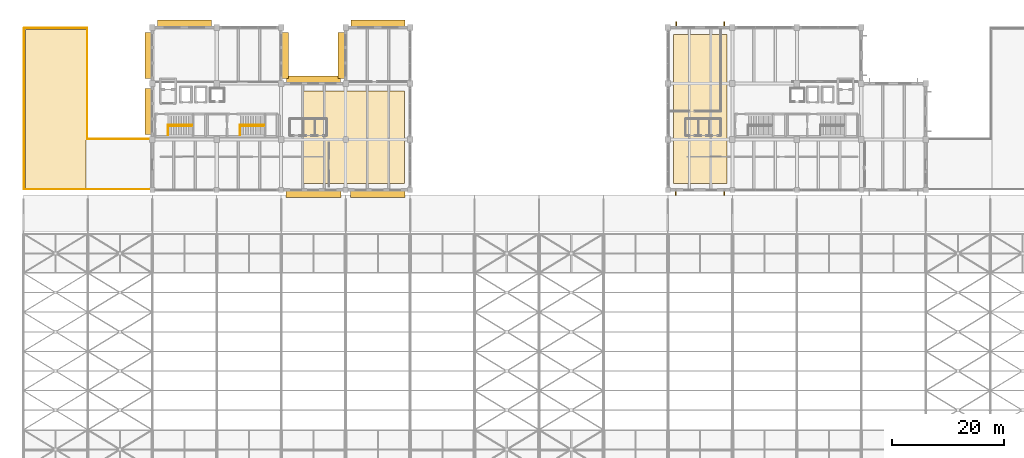
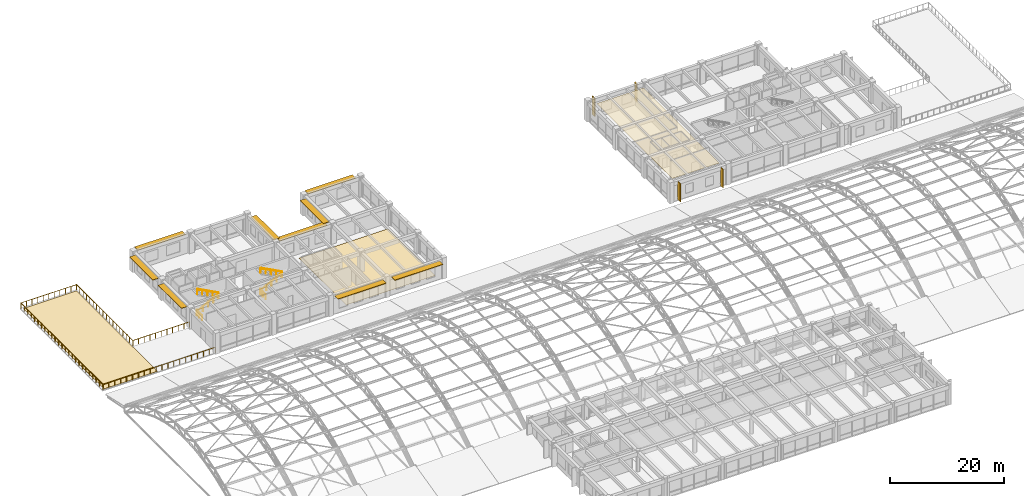
# One storey, part 153 of 154: 13 shading devices, 9 railings, 3 coverings.
"""IFC4 building model written with IfcOpenShell, lengths in metres."""

from ifc_helpers import new_model, si_unit, direction, frame, origin, origin_2d, place, context, subcontext, project, spatial, polyline, rectangle, circle, outline, extrude, material, layer, layer_set, type_object, element, save


model = new_model("IFC4")

# Units and contexts
model_context = context("Model", 3, precision=1e-05, world=origin(), true_north=direction((0.0, 1.0)))
body_context = subcontext(model_context, "Body", "Model", "MODEL_VIEW")
ifc_project = project(units=[si_unit("LENGTHUNIT", "METRE"), si_unit("AREAUNIT", "SQUARE_METRE"), si_unit("VOLUMEUNIT", "CUBIC_METRE"), si_unit("PLANEANGLEUNIT", "RADIAN"), si_unit("MASSUNIT", "GRAM", prefix="KILO")], contexts=[model_context])

# Site, building, storey
site_placement = place(None, origin())
site = spatial("IfcSite", under=ifc_project, at=site_placement, CompositionType="ELEMENT")
building_placement = place(site_placement, origin())
building = spatial("IfcBuilding", under=site, at=building_placement, Name="Ologun Quay Terminus", CompositionType="ELEMENT")
storey_placement = place(building_placement, frame((0.0, 0.0, 13.800048828125)))
storey = spatial("IfcBuildingStorey", under=building, at=storey_placement, Name="L03", CompositionType="ELEMENT", Elevation=13.800048828125)

# Shading devices
ifc_material_1 = material(Name="Aluminium 6063-T6", Category="aluminium")
ifc_layer_1 = layer(ifc_material_1, 0.10009765625)
ifc_layer_set_1 = layer_set([ifc_layer_1], Name="Aluminium 6063-T6")
shading_device_type_1 = type_object("IfcShadingDeviceType", Name="Deep Waterfront Brise-Soleil Blade 1200", PredefinedType="JALOUSIE", material=ifc_layer_set_1)
for number, where, z_axis, x_axis, name in (
    (1, (51.75, 85.070068359375, 3.829833984375), (0.0, 0.0, 1.0), (1.0, 0.0, 0.0), "SD-02 Sun-Hood WEW-WW-O-L03-3"),
    (2, (63.25, 85.070068359375, 3.829833984375), (0.0, 0.0, 1.0), (1.0, 0.0, 0.0), "SD-02 Sun-Hood WEW-WW-O-L03-4"),
):
    element("IfcShadingDevice", number, at=place(storey_placement, frame(where, z_axis=z_axis, x_axis=x_axis)), inside=storey, type_object=shading_device_type_1, Name=name, PredefinedType="JALOUSIE", context=body_context, shape_type="SweptSolid", body=[
        extrude(rectangle(XDim=9.760009765625, YDim=1.199951171875, at=origin_2d()), origin(), (0.0, 0.0, 1.0), 0.10009765625),
    ])
shading_device_1_placement = place(storey_placement, frame((63.25, 115.530029296875, 3.829833984375), z_axis=(0.0, 0.0, 1.0), x_axis=(1.0, 0.0, 0.0)))
element("IfcShadingDevice", 3, at=shading_device_1_placement, inside=storey, type_object=shading_device_type_1, Name="SD-02 Sun-Hood WEW-WW-N-L03-8", PredefinedType="JALOUSIE", context=body_context, shape_type="SweptSolid", body=[
    extrude(rectangle(XDim=9.659912109375, YDim=1.199951171875, at=origin_2d()), origin(), (0.0, 0.0, 1.0), 0.10009765625),
])
shading_device_2_placement = place(storey_placement, frame((56.77001953125, 109.800048828125, 3.829833984375), z_axis=(0.0, 0.0, 1.0), x_axis=(1.0, 0.0, 0.0)))
element("IfcShadingDevice", 4, at=shading_device_2_placement, inside=storey, type_object=shading_device_type_1, Name="SD-02 Sun-Hood WEW-WW-O-L03-9", PredefinedType="JALOUSIE", context=body_context, shape_type="SweptSolid", body=[
    extrude(rectangle(XDim=1.199951171875, YDim=8.159912109375, at=origin_2d()), origin(), (0.0, 0.0, 1.0), 0.10009765625),
])
shading_device_3_placement = place(storey_placement, frame((51.75, 105.530029296875, 3.829833984375), z_axis=(0.0, 0.0, 1.0), x_axis=(1.0, 0.0, 0.0)))
element("IfcShadingDevice", 5, at=shading_device_3_placement, inside=storey, type_object=shading_device_type_1, Name="SD-02 Sun-Hood WEW-WW-O-L03-10", PredefinedType="JALOUSIE", context=body_context, shape_type="SweptSolid", body=[
    extrude(rectangle(XDim=9.659912109375, YDim=1.199951171875, at=origin_2d()), origin(), (0.0, 0.0, 1.0), 0.10009765625),
])
shading_device_4_placement = place(storey_placement, frame((46.72998046875, 109.800048828125, 3.829833984375), z_axis=(0.0, 0.0, 1.0), x_axis=(1.0, 0.0, 0.0)))
element("IfcShadingDevice", 6, at=shading_device_4_placement, inside=storey, type_object=shading_device_type_1, Name="SD-02 Sun-Hood WEW-WW-O-L03-11", PredefinedType="JALOUSIE", context=body_context, shape_type="SweptSolid", body=[
    extrude(rectangle(XDim=1.199951171875, YDim=8.159912109375, at=origin_2d()), origin(), (0.0, 0.0, 1.0), 0.10009765625),
])
shading_device_5_placement = place(storey_placement, frame((28.75, 115.530029296875, 3.829833984375), z_axis=(0.0, 0.0, 1.0), x_axis=(1.0, 0.0, 0.0)))
element("IfcShadingDevice", 7, at=shading_device_5_placement, inside=storey, type_object=shading_device_type_1, Name="SD-02 Sun-Hood WEW-WW-N-L03-12", PredefinedType="JALOUSIE", context=body_context, shape_type="SweptSolid", body=[
    extrude(rectangle(XDim=9.659912109375, YDim=1.199951171875, at=origin_2d()), origin(), (0.0, 0.0, 1.0), 0.10009765625),
])
for number, where, z_axis, x_axis, name in (
    (8, (22.27001953125, 99.800048828125, 3.829833984375), (0.0, 0.0, 1.0), (1.0, 0.0, 0.0), "SD-02 Sun-Hood WEW-WW-O-L03-15"),
    (9, (22.27001953125, 109.800048828125, 3.829833984375), (0.0, 0.0, 1.0), (1.0, 0.0, 0.0), "SD-02 Sun-Hood WEW-WW-O-L03-16"),
):
    element("IfcShadingDevice", number, at=place(storey_placement, frame(where, z_axis=z_axis, x_axis=x_axis)), inside=storey, type_object=shading_device_type_1, Name=name, PredefinedType="JALOUSIE", context=body_context, shape_type="SweptSolid", body=[
        extrude(rectangle(XDim=1.199951171875, YDim=8.159912109375, at=origin_2d()), origin(), (0.0, 0.0, 1.0), 0.10009765625),
    ])

# Covering
ifc_material_2 = material(Name="Gypsum Acoustic Stud")
ifc_layer_2 = layer(ifc_material_2, 0.02001953125)
ifc_layer_set_2 = layer_set([ifc_layer_2], Name="Gypsum Acoustic Stud")
covering_type_1 = type_object("IfcCoveringType", Name="Mineral-Fibre Acoustic Suspended Ceiling 20", PredefinedType="CEILING", material=ifc_layer_set_2)
covering_1_placement = place(storey_placement, frame((0.0, 0.0, 3.949951171875)))
element("IfcCovering", 10, at=covering_1_placement, inside=storey, type_object=covering_type_1, Name="CV-CL2 Acoustic Ceiling 9", PredefinedType="CEILING", context=body_context, shape_type="SweptSolid", body=[
    extrude(outline(polyline([(116.0, 87.0), (125.5, 87.0), (125.5, 113.5), (116.0, 113.5), (116.0, 87.0)])), origin(), (0.0, 0.0, 1.0), 0.02001953125),
])

# Shading devices
ifc_material_3 = material(Name="Concrete C40/50", Category="concrete")
ifc_layer_3 = layer(ifc_material_3, 0.159912109375)
ifc_layer_set_3 = layer_set([ifc_layer_3], Name="Concrete C40/50")
shading_device_type_2 = type_object("IfcShadingDeviceType", Name="Operations Angled Precast Solar Fin 850x160", PredefinedType="USERDEFINED", material=ifc_layer_set_3)
for number, where, z_axis, x_axis, name in (
    (11, (116.419921875, 85.2451171875, 0.14990234375), (0.0, 0.0, 1.0), (1.0, 0.0, 0.0), "SD-05 Vertical Solar Fin WEW-EW-L03-1-1"),
    (12, (125.080078125, 85.2451171875, 0.14990234375), (0.0, 0.0, 1.0), (1.0, 0.0, 0.0), "SD-05 Vertical Solar Fin WEW-EW-L03-1-2"),
    (13, (116.469970703125, 115.35498046875, 0.14990234375), (0.0, 0.0, 1.0), (1.0, 0.0, 0.0), "SD-05 Vertical Solar Fin WEW-EW-L03-9-1"),
    (14, (125.030029296875, 115.35498046875, 0.14990234375), (0.0, 0.0, 1.0), (1.0, 0.0, 0.0), "SD-05 Vertical Solar Fin WEW-EW-L03-9-2"),
):
    element("IfcShadingDevice", number, at=place(storey_placement, frame(where, z_axis=z_axis, x_axis=x_axis)), inside=storey, type_object=shading_device_type_2, Name=name, ObjectType="SOLAR FIN", PredefinedType="USERDEFINED", context=body_context, shape_type="SweptSolid", body=[
        extrude(rectangle(XDim=0.159912109375, YDim=0.85009765625, at=origin_2d()), origin(), (0.0, 0.0, 1.0), 3.929931640625),
    ])

# Covering
ifc_material_4 = material(Name="Porcelain Tile")
ifc_layer_4 = layer(ifc_material_4, 0.02197265625)
ifc_layer_set_4 = layer_set([ifc_layer_4], Name="Porcelain Tile")
covering_type_2 = type_object("IfcCoveringType", Name="Porcelain Tile Pavilion & Sanitary Flooring 22", PredefinedType="FLOORING", material=ifc_layer_set_4)
covering_2_placement = place(storey_placement, origin())
element("IfcCovering", 15, at=covering_2_placement, inside=storey, type_object=covering_type_2, Name="CV-FL2 Interior Flooring 13", PredefinedType="FLOORING", context=body_context, shape_type="SweptSolid", body=[
    extrude(outline(polyline([(50.0, 87.0), (68.0, 87.0), (68.0, 103.5), (50.0, 103.5), (50.0, 87.0)])), origin(), (0.0, 0.0, 1.0), 0.02197265625),
])

# Railings
ifc_material_5 = material(Name="Steel S355", Category="steel")
railing_type_1 = type_object("IfcRailingType", Name="Stair & Landing Steel Guardrail 1100", PredefinedType="GUARDRAIL", material=ifc_material_5)
railing_1_placement = place(storey_placement, frame((25.81005859375, 97.43994140625, 0.0)))
element("IfcRailing", 16, at=railing_1_placement, inside=storey, type_object=railing_type_1, Name="GR-ST Stair Floor Edge Guard ST-W1 L03", PredefinedType="GUARDRAIL", context=body_context, shape_type="SweptSolid", body=[
    extrude(circle(Radius=0.02392578125, at=origin_2d()), frame((0.0, 0.0, 1.076171875), z_axis=(0.0, -1.0, 0.0), x_axis=(1.0, 0.0, 0.0)), (0.0, 0.0, 1.0), 1.829833984375),
    extrude(circle(Radius=0.02099609375, at=origin_2d()), origin(), (0.0, 0.0, 1.0), 1.052001953125),
    extrude(circle(Radius=0.02099609375, at=origin_2d()), frame((0.0, -0.9150390625, 0.0)), (0.0, 0.0, 1.0), 1.052001953125),
    extrude(circle(Radius=0.02099609375, at=origin_2d()), frame((0.0, -1.829833984375, 0.0)), (0.0, 0.0, 1.0), 1.052001953125),
])
railing_2_placement = place(storey_placement, frame((25.85009765625, 97.25, 0.0)))
element("IfcRailing", 17, at=railing_2_placement, inside=storey, type_object=railing_type_1, Name="GR-ST Stair Inner Well Guard ST-W1 L03", PredefinedType="GUARDRAIL", context=body_context, shape_type="SweptSolid", body=[
    extrude(circle(Radius=0.02392578125, at=origin_2d()), frame((0.0, 0.0, 1.076171875), z_axis=(0.882871490178, 0.0, 0.469614663135), x_axis=(0.0, 1.0, 0.0)), (0.0, 0.0, 1.0), 4.791259765625),
    extrude(circle(Radius=0.02392578125, at=origin_2d()), frame((4.22998046875, 0.0, 3.326171875), z_axis=(0.0, 1.0, 0.0), x_axis=(-1.0, 0.0, 0.0)), (0.0, 0.0, 1.0), 0.199951171875),
    extrude(circle(Radius=0.02392578125, at=origin_2d()), frame((4.22998046875, 0.199951171875, 3.326171875), z_axis=(-0.882871490178, 0.0, 0.469614663135), x_axis=(0.0, -1.0, 0.0)), (0.0, 0.0, 1.0), 4.791259765625),
    extrude(circle(Radius=0.02099609375, at=origin_2d()), origin(), (0.0, 0.0, 1.0), 1.052001953125),
    extrude(circle(Radius=0.02099609375, at=origin_2d()), frame((1.0576171875, 0.0, 0.5625)), (0.0, 0.0, 1.0), 1.052001953125),
    extrude(circle(Radius=0.02099609375, at=origin_2d()), frame((2.114990234375, 0.0, 1.125)), (0.0, 0.0, 1.0), 1.052001953125),
    extrude(circle(Radius=0.02099609375, at=origin_2d()), frame((3.17236328125, 0.0, 1.6875)), (0.0, 0.0, 1.0), 1.052001953125),
    extrude(circle(Radius=0.02099609375, at=origin_2d()), frame((4.22998046875, 0.0, 2.25)), (0.0, 0.0, 1.0), 1.052001953125),
    extrude(circle(Radius=0.02099609375, at=origin_2d()), frame((4.22998046875, 0.199951171875, 2.25)), (0.0, 0.0, 1.0), 1.052001953125),
    extrude(circle(Radius=0.02099609375, at=origin_2d()), frame((3.17236328125, 0.199951171875, 2.8125)), (0.0, 0.0, 1.0), 1.052001953125),
    extrude(circle(Radius=0.02099609375, at=origin_2d()), frame((2.114990234375, 0.199951171875, 3.375)), (0.0, 0.0, 1.0), 1.052001953125),
    extrude(circle(Radius=0.02099609375, at=origin_2d()), frame((1.0576171875, 0.199951171875, 3.9375)), (0.0, 0.0, 1.0), 1.052001953125),
    extrude(circle(Radius=0.02099609375, at=origin_2d()), frame((0.0, 0.199951171875, 4.5)), (0.0, 0.0, 1.0), 1.052001953125),
])
railing_3_placement = place(storey_placement, frame((38.659912109375, 97.43994140625, 0.0)))
element("IfcRailing", 18, at=railing_3_placement, inside=storey, type_object=railing_type_1, Name="GR-ST Stair Floor Edge Guard ST-W2 L03", PredefinedType="GUARDRAIL", context=body_context, shape_type="SweptSolid", body=[
    extrude(circle(Radius=0.02392578125, at=origin_2d()), frame((0.0, 0.0, 1.076171875), z_axis=(0.0, -1.0, 0.0), x_axis=(1.0, 0.0, 0.0)), (0.0, 0.0, 1.0), 1.829833984375),
    extrude(circle(Radius=0.02099609375, at=origin_2d()), origin(), (0.0, 0.0, 1.0), 1.052001953125),
    extrude(circle(Radius=0.02099609375, at=origin_2d()), frame((0.0, -0.9150390625, 0.0)), (0.0, 0.0, 1.0), 1.052001953125),
    extrude(circle(Radius=0.02099609375, at=origin_2d()), frame((0.0, -1.829833984375, 0.0)), (0.0, 0.0, 1.0), 1.052001953125),
])
railing_4_placement = place(storey_placement, frame((38.699951171875, 97.25, 0.0)))
element("IfcRailing", 19, at=railing_4_placement, inside=storey, type_object=railing_type_1, Name="GR-ST Stair Inner Well Guard ST-W2 L03", PredefinedType="GUARDRAIL", context=body_context, shape_type="SweptSolid", body=[
    extrude(circle(Radius=0.02392578125, at=origin_2d()), frame((0.0, 0.0, 1.076171875), z_axis=(0.882871490178, 0.0, 0.469614663135), x_axis=(0.0, 1.0, 0.0)), (0.0, 0.0, 1.0), 4.791259765625),
    extrude(circle(Radius=0.02392578125, at=origin_2d()), frame((4.22998046875, 0.0, 3.326171875), z_axis=(0.0, 1.0, 0.0), x_axis=(-1.0, 0.0, 0.0)), (0.0, 0.0, 1.0), 0.199951171875),
    extrude(circle(Radius=0.02392578125, at=origin_2d()), frame((4.22998046875, 0.199951171875, 3.326171875), z_axis=(-0.882871490178, 0.0, 0.469614663135), x_axis=(0.0, -1.0, 0.0)), (0.0, 0.0, 1.0), 4.791259765625),
    extrude(circle(Radius=0.02099609375, at=origin_2d()), origin(), (0.0, 0.0, 1.0), 1.052001953125),
    extrude(circle(Radius=0.02099609375, at=origin_2d()), frame((1.0576171875, 0.0, 0.5625)), (0.0, 0.0, 1.0), 1.052001953125),
    extrude(circle(Radius=0.02099609375, at=origin_2d()), frame((2.114990234375, 0.0, 1.125)), (0.0, 0.0, 1.0), 1.052001953125),
    extrude(circle(Radius=0.02099609375, at=origin_2d()), frame((3.17236328125, 0.0, 1.6875)), (0.0, 0.0, 1.0), 1.052001953125),
    extrude(circle(Radius=0.02099609375, at=origin_2d()), frame((4.22998046875, 0.0, 2.25)), (0.0, 0.0, 1.0), 1.052001953125),
    extrude(circle(Radius=0.02099609375, at=origin_2d()), frame((4.22998046875, 0.199951171875, 2.25)), (0.0, 0.0, 1.0), 1.052001953125),
    extrude(circle(Radius=0.02099609375, at=origin_2d()), frame((3.17236328125, 0.199951171875, 2.8125)), (0.0, 0.0, 1.0), 1.052001953125),
    extrude(circle(Radius=0.02099609375, at=origin_2d()), frame((2.114990234375, 0.199951171875, 3.375)), (0.0, 0.0, 1.0), 1.052001953125),
    extrude(circle(Radius=0.02099609375, at=origin_2d()), frame((1.0576171875, 0.199951171875, 3.9375)), (0.0, 0.0, 1.0), 1.052001953125),
    extrude(circle(Radius=0.02099609375, at=origin_2d()), frame((0.0, 0.199951171875, 4.5)), (0.0, 0.0, 1.0), 1.052001953125),
])
ifc_material_6 = material(Name="Steel S355", Category="steel")
railing_type_2 = type_object("IfcRailingType", Name="Stair Stainless Tubular Handrail 920", PredefinedType="HANDRAIL", material=ifc_material_6)
railing_5_placement = place(storey_placement, frame((25.85009765625, 97.239990234375, 0.14990234375)))
element("IfcRailing", 20, at=railing_5_placement, inside=storey, type_object=railing_type_2, Name="HR-ST Handrail ST-W1-F1 L03", PredefinedType="HANDRAIL", context=body_context, shape_type="SweptSolid", body=[
    extrude(circle(Radius=0.02392578125, at=origin_2d()), frame((0.0, 0.0, 0.89599609375), z_axis=(0.894416792377, 0.0, 0.447234392142), x_axis=(0.0, 1.0, 0.0)), (0.0, 0.0, 1.0), 4.69580078125),
    extrude(circle(Radius=0.02099609375, at=origin_2d()), origin(), (0.0, 0.0, 1.0), 0.871826171875),
    extrude(circle(Radius=0.02099609375, at=origin_2d()), frame((1.050048828125, 0.0, 0.52490234375)), (0.0, 0.0, 1.0), 0.871826171875),
    extrude(circle(Radius=0.02099609375, at=origin_2d()), frame((2.10009765625, 0.0, 1.050048828125)), (0.0, 0.0, 1.0), 0.871826171875),
    extrude(circle(Radius=0.02099609375, at=origin_2d()), frame((3.14990234375, 0.0, 1.5751953125)), (0.0, 0.0, 1.0), 0.871826171875),
    extrude(circle(Radius=0.02099609375, at=origin_2d()), frame((4.199951171875, 0.0, 2.10009765625)), (0.0, 0.0, 1.0), 0.871826171875),
])
railing_6_placement = place(storey_placement, frame((30.050048828125, 97.4599609375, 2.39990234375)))
element("IfcRailing", 21, at=railing_6_placement, inside=storey, type_object=railing_type_2, Name="HR-ST Handrail ST-W1-F2 L03", PredefinedType="HANDRAIL", context=body_context, shape_type="SweptSolid", body=[
    extrude(circle(Radius=0.02392578125, at=origin_2d()), frame((0.0, 0.0, 0.89599609375), z_axis=(-0.894416792377, 0.0, 0.447234392142), x_axis=(0.0, -1.0, 0.0)), (0.0, 0.0, 1.0), 4.69580078125),
    extrude(circle(Radius=0.02099609375, at=origin_2d()), origin(), (0.0, 0.0, 1.0), 0.871826171875),
    extrude(circle(Radius=0.02099609375, at=origin_2d()), frame((-1.050048828125, 0.0, 0.52490234375)), (0.0, 0.0, 1.0), 0.871826171875),
    extrude(circle(Radius=0.02099609375, at=origin_2d()), frame((-2.10009765625, 0.0, 1.050048828125)), (0.0, 0.0, 1.0), 0.871826171875),
    extrude(circle(Radius=0.02099609375, at=origin_2d()), frame((-3.14990234375, 0.0, 1.5751953125)), (0.0, 0.0, 1.0), 0.871826171875),
    extrude(circle(Radius=0.02099609375, at=origin_2d()), frame((-4.199951171875, 0.0, 2.10009765625)), (0.0, 0.0, 1.0), 0.871826171875),
])
railing_7_placement = place(storey_placement, frame((38.699951171875, 97.239990234375, 0.14990234375)))
element("IfcRailing", 22, at=railing_7_placement, inside=storey, type_object=railing_type_2, Name="HR-ST Handrail ST-W2-F1 L03", PredefinedType="HANDRAIL", context=body_context, shape_type="SweptSolid", body=[
    extrude(circle(Radius=0.02392578125, at=origin_2d()), frame((0.0, 0.0, 0.89599609375), z_axis=(0.894416792377, 0.0, 0.447234392142), x_axis=(0.0, 1.0, 0.0)), (0.0, 0.0, 1.0), 4.69580078125),
    extrude(circle(Radius=0.02099609375, at=origin_2d()), origin(), (0.0, 0.0, 1.0), 0.871826171875),
    extrude(circle(Radius=0.02099609375, at=origin_2d()), frame((1.050048828125, 0.0, 0.52490234375)), (0.0, 0.0, 1.0), 0.871826171875),
    extrude(circle(Radius=0.02099609375, at=origin_2d()), frame((2.10009765625, 0.0, 1.050048828125)), (0.0, 0.0, 1.0), 0.871826171875),
    extrude(circle(Radius=0.02099609375, at=origin_2d()), frame((3.14990234375, 0.0, 1.5751953125)), (0.0, 0.0, 1.0), 0.871826171875),
    extrude(circle(Radius=0.02099609375, at=origin_2d()), frame((4.199951171875, 0.0, 2.10009765625)), (0.0, 0.0, 1.0), 0.871826171875),
])
railing_8_placement = place(storey_placement, frame((42.89990234375, 97.4599609375, 2.39990234375)))
element("IfcRailing", 23, at=railing_8_placement, inside=storey, type_object=railing_type_2, Name="HR-ST Handrail ST-W2-F2 L03", PredefinedType="HANDRAIL", context=body_context, shape_type="SweptSolid", body=[
    extrude(circle(Radius=0.02392578125, at=origin_2d()), frame((0.0, 0.0, 0.89599609375), z_axis=(-0.894416792377, 0.0, 0.447234392142), x_axis=(0.0, -1.0, 0.0)), (0.0, 0.0, 1.0), 4.69580078125),
    extrude(circle(Radius=0.02099609375, at=origin_2d()), origin(), (0.0, 0.0, 1.0), 0.871826171875),
    extrude(circle(Radius=0.02099609375, at=origin_2d()), frame((-1.050048828125, 0.0, 0.52490234375)), (0.0, 0.0, 1.0), 0.871826171875),
    extrude(circle(Radius=0.02099609375, at=origin_2d()), frame((-2.10009765625, 0.0, 1.050048828125)), (0.0, 0.0, 1.0), 0.871826171875),
    extrude(circle(Radius=0.02099609375, at=origin_2d()), frame((-3.14990234375, 0.0, 1.5751953125)), (0.0, 0.0, 1.0), 0.871826171875),
    extrude(circle(Radius=0.02099609375, at=origin_2d()), frame((-4.199951171875, 0.0, 2.10009765625)), (0.0, 0.0, 1.0), 0.871826171875),
])
ifc_material_7 = material(Name="Steel S355", Category="steel")
railing_type_3 = type_object("IfcRailingType", Name="Terrace & Quay Perimeter Guardrail 1150", PredefinedType="GUARDRAIL", material=ifc_material_7)
railing_9_placement = place(storey_placement, frame((22.85009765625, 85.919921875, 0.0)))
element("IfcRailing", 24, at=railing_9_placement, inside=storey, type_object=railing_type_3, Name="GR-TR West Harbour Roof Terrace Guardrail L03", PredefinedType="GUARDRAIL", context=body_context, shape_type="SweptSolid", body=[
    extrude(circle(Radius=0.02392578125, at=origin_2d()), frame((0.0, 0.0, 1.1259765625), z_axis=(-1.0, 0.0, 0.0), x_axis=(0.0, -1.0, 0.0)), (0.0, 0.0, 1.0), 22.72998046875),
    extrude(circle(Radius=0.02392578125, at=origin_2d()), frame((-22.72998046875, 0.0, 1.1259765625), z_axis=(0.0, 1.0, 0.0), x_axis=(-1.0, 0.0, 0.0)), (0.0, 0.0, 1.0), 28.760009765625),
    extrude(circle(Radius=0.02392578125, at=origin_2d()), frame((-22.72998046875, 28.760009765625, 1.1259765625), z_axis=(1.0, 0.0, 0.0), x_axis=(0.0, 1.0, 0.0)), (0.0, 0.0, 1.0), 11.259765625),
    extrude(circle(Radius=0.02392578125, at=origin_2d()), frame((-11.47021484375, 28.760009765625, 1.1259765625), z_axis=(0.0, -1.0, 0.0), x_axis=(1.0, 0.0, 0.0)), (0.0, 0.0, 1.0), 19.760009765625),
    extrude(circle(Radius=0.02392578125, at=origin_2d()), frame((-11.47021484375, 9.0, 1.1259765625), z_axis=(1.0, 0.0, 0.0), x_axis=(0.0, 1.0, 0.0)), (0.0, 0.0, 1.0), 11.47021484375),
    extrude(circle(Radius=0.02099609375, at=origin_2d()), origin(), (0.0, 0.0, 1.0), 1.101806640625),
    extrude(circle(Radius=0.02099609375, at=origin_2d()), frame((-1.1962890625, 0.0, 0.0)), (0.0, 0.0, 1.0), 1.101806640625),
    extrude(circle(Radius=0.02099609375, at=origin_2d()), frame((-2.392578125, 0.0, 0.0)), (0.0, 0.0, 1.0), 1.101806640625),
    extrude(circle(Radius=0.02099609375, at=origin_2d()), frame((-3.5888671875, 0.0, 0.0)), (0.0, 0.0, 1.0), 1.101806640625),
    extrude(circle(Radius=0.02099609375, at=origin_2d()), frame((-4.78515625, 0.0, 0.0)), (0.0, 0.0, 1.0), 1.101806640625),
    extrude(circle(Radius=0.02099609375, at=origin_2d()), frame((-5.981689453125, 0.0, 0.0)), (0.0, 0.0, 1.0), 1.101806640625),
    extrude(circle(Radius=0.02099609375, at=origin_2d()), frame((-7.177978515625, 0.0, 0.0)), (0.0, 0.0, 1.0), 1.101806640625),
    extrude(circle(Radius=0.02099609375, at=origin_2d()), frame((-8.374267578125, 0.0, 0.0)), (0.0, 0.0, 1.0), 1.101806640625),
    extrude(circle(Radius=0.02099609375, at=origin_2d()), frame((-9.570556640625, 0.0, 0.0)), (0.0, 0.0, 1.0), 1.101806640625),
    extrude(circle(Radius=0.02099609375, at=origin_2d()), frame((-10.766845703125, 0.0, 0.0)), (0.0, 0.0, 1.0), 1.101806640625),
    extrude(circle(Radius=0.02099609375, at=origin_2d()), frame((-11.963134765625, 0.0, 0.0)), (0.0, 0.0, 1.0), 1.101806640625),
    extrude(circle(Radius=0.02099609375, at=origin_2d()), frame((-13.159423828125, 0.0, 0.0)), (0.0, 0.0, 1.0), 1.101806640625),
    extrude(circle(Radius=0.02099609375, at=origin_2d()), frame((-14.355712890625, 0.0, 0.0)), (0.0, 0.0, 1.0), 1.101806640625),
    extrude(circle(Radius=0.02099609375, at=origin_2d()), frame((-15.552001953125, 0.0, 0.0)), (0.0, 0.0, 1.0), 1.101806640625),
    extrude(circle(Radius=0.02099609375, at=origin_2d()), frame((-16.748291015625, 0.0, 0.0)), (0.0, 0.0, 1.0), 1.101806640625),
    extrude(circle(Radius=0.02099609375, at=origin_2d()), frame((-17.94482421875, 0.0, 0.0)), (0.0, 0.0, 1.0), 1.101806640625),
    extrude(circle(Radius=0.02099609375, at=origin_2d()), frame((-19.14111328125, 0.0, 0.0)), (0.0, 0.0, 1.0), 1.101806640625),
    extrude(circle(Radius=0.02099609375, at=origin_2d()), frame((-20.33740234375, 0.0, 0.0)), (0.0, 0.0, 1.0), 1.101806640625),
    extrude(circle(Radius=0.02099609375, at=origin_2d()), frame((-21.53369140625, 0.0, 0.0)), (0.0, 0.0, 1.0), 1.101806640625),
    extrude(circle(Radius=0.02099609375, at=origin_2d()), frame((-22.72998046875, 0.0, 0.0)), (0.0, 0.0, 1.0), 1.101806640625),
    extrude(circle(Radius=0.02099609375, at=origin_2d()), frame((-22.72998046875, 1.1982421875, 0.0)), (0.0, 0.0, 1.0), 1.101806640625),
    extrude(circle(Radius=0.02099609375, at=origin_2d()), frame((-22.72998046875, 2.396728515625, 0.0)), (0.0, 0.0, 1.0), 1.101806640625),
    extrude(circle(Radius=0.02099609375, at=origin_2d()), frame((-22.72998046875, 3.594970703125, 0.0)), (0.0, 0.0, 1.0), 1.101806640625),
    extrude(circle(Radius=0.02099609375, at=origin_2d()), frame((-22.72998046875, 4.79345703125, 0.0)), (0.0, 0.0, 1.0), 1.101806640625),
    extrude(circle(Radius=0.02099609375, at=origin_2d()), frame((-22.72998046875, 5.99169921875, 0.0)), (0.0, 0.0, 1.0), 1.101806640625),
    extrude(circle(Radius=0.02099609375, at=origin_2d()), frame((-22.72998046875, 7.18994140625, 0.0)), (0.0, 0.0, 1.0), 1.101806640625),
    extrude(circle(Radius=0.02099609375, at=origin_2d()), frame((-22.72998046875, 8.388427734375, 0.0)), (0.0, 0.0, 1.0), 1.101806640625),
    extrude(circle(Radius=0.02099609375, at=origin_2d()), frame((-22.72998046875, 9.586669921875, 0.0)), (0.0, 0.0, 1.0), 1.101806640625),
    extrude(circle(Radius=0.02099609375, at=origin_2d()), frame((-22.72998046875, 10.784912109375, 0.0)), (0.0, 0.0, 1.0), 1.101806640625),
    extrude(circle(Radius=0.02099609375, at=origin_2d()), frame((-22.72998046875, 11.9833984375, 0.0)), (0.0, 0.0, 1.0), 1.101806640625),
    extrude(circle(Radius=0.02099609375, at=origin_2d()), frame((-22.72998046875, 13.181640625, 0.0)), (0.0, 0.0, 1.0), 1.101806640625),
    extrude(circle(Radius=0.02099609375, at=origin_2d()), frame((-22.72998046875, 14.3798828125, 0.0)), (0.0, 0.0, 1.0), 1.101806640625),
    extrude(circle(Radius=0.02099609375, at=origin_2d()), frame((-22.72998046875, 15.578369140625, 0.0)), (0.0, 0.0, 1.0), 1.101806640625),
    extrude(circle(Radius=0.02099609375, at=origin_2d()), frame((-22.72998046875, 16.776611328125, 0.0)), (0.0, 0.0, 1.0), 1.101806640625),
    extrude(circle(Radius=0.02099609375, at=origin_2d()), frame((-22.72998046875, 17.97509765625, 0.0)), (0.0, 0.0, 1.0), 1.101806640625),
    extrude(circle(Radius=0.02099609375, at=origin_2d()), frame((-22.72998046875, 19.17333984375, 0.0)), (0.0, 0.0, 1.0), 1.101806640625),
    extrude(circle(Radius=0.02099609375, at=origin_2d()), frame((-22.72998046875, 20.37158203125, 0.0)), (0.0, 0.0, 1.0), 1.101806640625),
    extrude(circle(Radius=0.02099609375, at=origin_2d()), frame((-22.72998046875, 21.570068359375, 0.0)), (0.0, 0.0, 1.0), 1.101806640625),
    extrude(circle(Radius=0.02099609375, at=origin_2d()), frame((-22.72998046875, 22.768310546875, 0.0)), (0.0, 0.0, 1.0), 1.101806640625),
    extrude(circle(Radius=0.02099609375, at=origin_2d()), frame((-22.72998046875, 23.966796875, 0.0)), (0.0, 0.0, 1.0), 1.101806640625),
    extrude(circle(Radius=0.02099609375, at=origin_2d()), frame((-22.72998046875, 25.1650390625, 0.0)), (0.0, 0.0, 1.0), 1.101806640625),
    extrude(circle(Radius=0.02099609375, at=origin_2d()), frame((-22.72998046875, 26.36328125, 0.0)), (0.0, 0.0, 1.0), 1.101806640625),
    extrude(circle(Radius=0.02099609375, at=origin_2d()), frame((-22.72998046875, 27.561767578125, 0.0)), (0.0, 0.0, 1.0), 1.101806640625),
    extrude(circle(Radius=0.02099609375, at=origin_2d()), frame((-22.72998046875, 28.760009765625, 0.0)), (0.0, 0.0, 1.0), 1.101806640625),
    extrude(circle(Radius=0.02099609375, at=origin_2d()), frame((-21.60400390625, 28.760009765625, 0.0)), (0.0, 0.0, 1.0), 1.101806640625),
    extrude(circle(Radius=0.02099609375, at=origin_2d()), frame((-20.47802734375, 28.760009765625, 0.0)), (0.0, 0.0, 1.0), 1.101806640625),
    extrude(circle(Radius=0.02099609375, at=origin_2d()), frame((-19.35205078125, 28.760009765625, 0.0)), (0.0, 0.0, 1.0), 1.101806640625),
    extrude(circle(Radius=0.02099609375, at=origin_2d()), frame((-18.22607421875, 28.760009765625, 0.0)), (0.0, 0.0, 1.0), 1.101806640625),
    extrude(circle(Radius=0.02099609375, at=origin_2d()), frame((-17.10009765625, 28.760009765625, 0.0)), (0.0, 0.0, 1.0), 1.101806640625),
    extrude(circle(Radius=0.02099609375, at=origin_2d()), frame((-15.97412109375, 28.760009765625, 0.0)), (0.0, 0.0, 1.0), 1.101806640625),
    extrude(circle(Radius=0.02099609375, at=origin_2d()), frame((-14.84814453125, 28.760009765625, 0.0)), (0.0, 0.0, 1.0), 1.101806640625),
    extrude(circle(Radius=0.02099609375, at=origin_2d()), frame((-13.72216796875, 28.760009765625, 0.0)), (0.0, 0.0, 1.0), 1.101806640625),
    extrude(circle(Radius=0.02099609375, at=origin_2d()), frame((-12.59619140625, 28.760009765625, 0.0)), (0.0, 0.0, 1.0), 1.101806640625),
    extrude(circle(Radius=0.02099609375, at=origin_2d()), frame((-11.47021484375, 28.760009765625, 0.0)), (0.0, 0.0, 1.0), 1.101806640625),
    extrude(circle(Radius=0.02099609375, at=origin_2d()), frame((-11.47021484375, 27.59765625, 0.0)), (0.0, 0.0, 1.0), 1.101806640625),
    extrude(circle(Radius=0.02099609375, at=origin_2d()), frame((-11.47021484375, 26.435302734375, 0.0)), (0.0, 0.0, 1.0), 1.101806640625),
    extrude(circle(Radius=0.02099609375, at=origin_2d()), frame((-11.47021484375, 25.27294921875, 0.0)), (0.0, 0.0, 1.0), 1.101806640625),
    extrude(circle(Radius=0.02099609375, at=origin_2d()), frame((-11.47021484375, 24.110595703125, 0.0)), (0.0, 0.0, 1.0), 1.101806640625),
    extrude(circle(Radius=0.02099609375, at=origin_2d()), frame((-11.47021484375, 22.9482421875, 0.0)), (0.0, 0.0, 1.0), 1.101806640625),
    extrude(circle(Radius=0.02099609375, at=origin_2d()), frame((-11.47021484375, 21.785888671875, 0.0)), (0.0, 0.0, 1.0), 1.101806640625),
    extrude(circle(Radius=0.02099609375, at=origin_2d()), frame((-11.47021484375, 20.62353515625, 0.0)), (0.0, 0.0, 1.0), 1.101806640625),
    extrude(circle(Radius=0.02099609375, at=origin_2d()), frame((-11.47021484375, 19.461181640625, 0.0)), (0.0, 0.0, 1.0), 1.101806640625),
    extrude(circle(Radius=0.02099609375, at=origin_2d()), frame((-11.47021484375, 18.298828125, 0.0)), (0.0, 0.0, 1.0), 1.101806640625),
    extrude(circle(Radius=0.02099609375, at=origin_2d()), frame((-11.47021484375, 17.136474609375, 0.0)), (0.0, 0.0, 1.0), 1.101806640625),
    extrude(circle(Radius=0.02099609375, at=origin_2d()), frame((-11.47021484375, 15.97412109375, 0.0)), (0.0, 0.0, 1.0), 1.101806640625),
    extrude(circle(Radius=0.02099609375, at=origin_2d()), frame((-11.47021484375, 14.811767578125, 0.0)), (0.0, 0.0, 1.0), 1.101806640625),
    extrude(circle(Radius=0.02099609375, at=origin_2d()), frame((-11.47021484375, 13.6494140625, 0.0)), (0.0, 0.0, 1.0), 1.101806640625),
    extrude(circle(Radius=0.02099609375, at=origin_2d()), frame((-11.47021484375, 12.487060546875, 0.0)), (0.0, 0.0, 1.0), 1.101806640625),
    extrude(circle(Radius=0.02099609375, at=origin_2d()), frame((-11.47021484375, 11.32470703125, 0.0)), (0.0, 0.0, 1.0), 1.101806640625),
    extrude(circle(Radius=0.02099609375, at=origin_2d()), frame((-11.47021484375, 10.162353515625, 0.0)), (0.0, 0.0, 1.0), 1.101806640625),
    extrude(circle(Radius=0.02099609375, at=origin_2d()), frame((-11.47021484375, 9.0, 0.0)), (0.0, 0.0, 1.0), 1.101806640625),
    extrude(circle(Radius=0.02099609375, at=origin_2d()), frame((-10.3232421875, 9.0, 0.0)), (0.0, 0.0, 1.0), 1.101806640625),
    extrude(circle(Radius=0.02099609375, at=origin_2d()), frame((-9.17626953125, 9.0, 0.0)), (0.0, 0.0, 1.0), 1.101806640625),
    extrude(circle(Radius=0.02099609375, at=origin_2d()), frame((-8.029052734375, 9.0, 0.0)), (0.0, 0.0, 1.0), 1.101806640625),
    extrude(circle(Radius=0.02099609375, at=origin_2d()), frame((-6.882080078125, 9.0, 0.0)), (0.0, 0.0, 1.0), 1.101806640625),
    extrude(circle(Radius=0.02099609375, at=origin_2d()), frame((-5.735107421875, 9.0, 0.0)), (0.0, 0.0, 1.0), 1.101806640625),
    extrude(circle(Radius=0.02099609375, at=origin_2d()), frame((-4.588134765625, 9.0, 0.0)), (0.0, 0.0, 1.0), 1.101806640625),
    extrude(circle(Radius=0.02099609375, at=origin_2d()), frame((-3.441162109375, 9.0, 0.0)), (0.0, 0.0, 1.0), 1.101806640625),
    extrude(circle(Radius=0.02099609375, at=origin_2d()), frame((-2.2939453125, 9.0, 0.0)), (0.0, 0.0, 1.0), 1.101806640625),
    extrude(circle(Radius=0.02099609375, at=origin_2d()), frame((-1.14697265625, 9.0, 0.0)), (0.0, 0.0, 1.0), 1.101806640625),
    extrude(circle(Radius=0.02099609375, at=origin_2d()), frame((0.0, 9.0, 0.0)), (0.0, 0.0, 1.0), 1.101806640625),
])

# Covering
ifc_material_8 = material(Name="Waterproof Membrane")
ifc_layer_5 = layer(ifc_material_8, 0.01806640625)
ifc_layer_set_5 = layer_set([ifc_layer_5], Name="Waterproof Membrane")
covering_type_3 = type_object("IfcCoveringType", Name="Two-Ply Polymeric Waterproof Roof Membrane 18", PredefinedType="ROOFING", material=ifc_layer_set_5)
covering_3_placement = place(storey_placement, origin())
element("IfcCovering", 25, at=covering_3_placement, inside=storey, type_object=covering_type_3, Name="CV-RFM Terrace Waterproof Membrane 1", PredefinedType="ROOFING", context=body_context, shape_type="SweptSolid", body=[
    extrude(outline(polyline([(0.39990234375, 86.0), (11.199951171875, 86.0), (11.199951171875, 114.39990234375), (0.39990234375, 114.39990234375), (0.39990234375, 86.0)])), origin(), (0.0, 0.0, 1.0), 0.01806640625),
])

save(model, "model.ifc")
